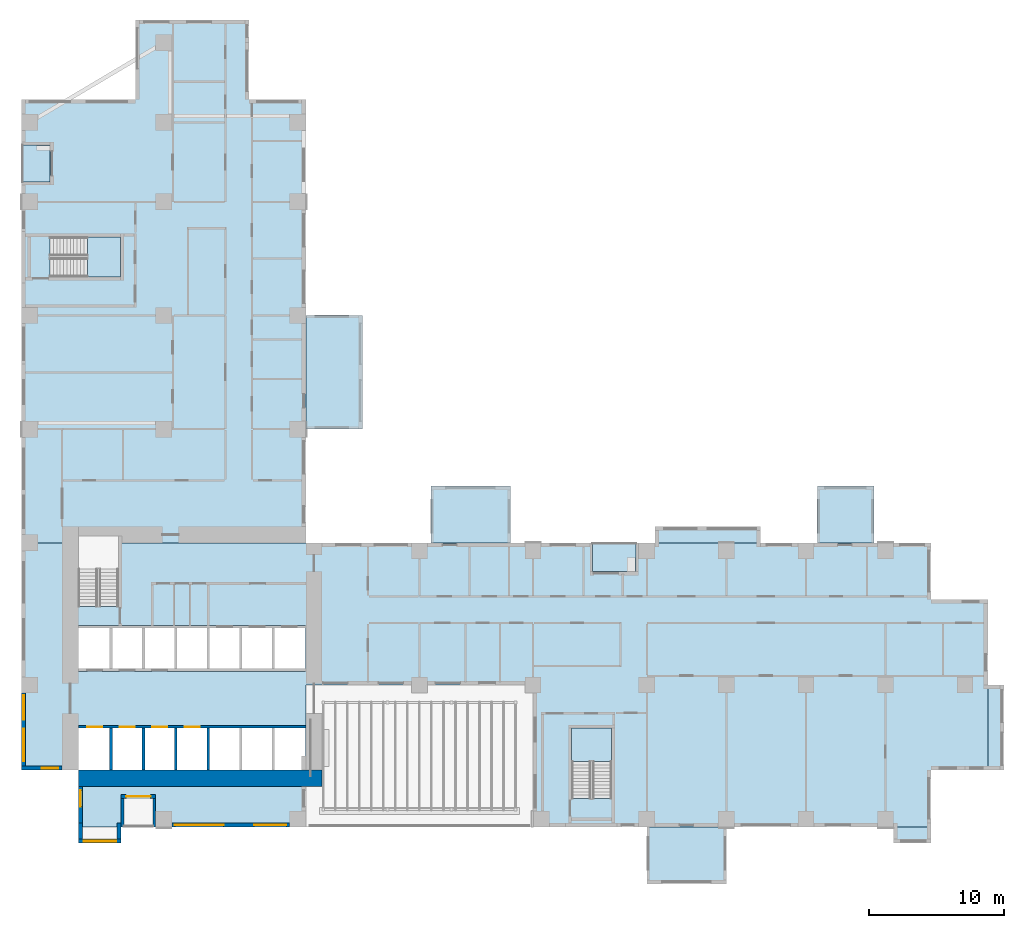
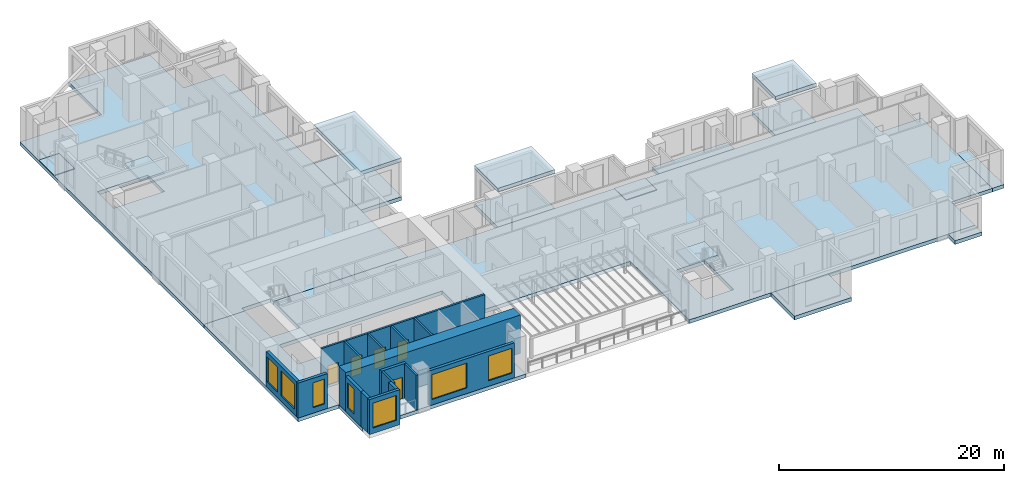
# One storey, part 3 of 16: 16 slabs, 16 walls, 7 windows, 5 doors, 12 openings, 2 elements without a shape of their own.
"""IFC4 building model written with IfcOpenShell, lengths in metres."""

from ifc_helpers import new_model, si_unit, direction, frame, frame_2d, origin, place, context, subcontext, project, spatial, polyline, rectangle, outline, extrude, source, transform, mapped, material, layer, layer_set, type_object, element, fill, aggregate, save


model = new_model("IFC4")

# Units and contexts
model_context = context("Model", 3, precision=1e-05, world=origin(), true_north=direction((0.0, 1.0)))
body_context = subcontext(model_context, "Body", "Model", "MODEL_VIEW")
ifc_project = project(units=[si_unit("LENGTHUNIT", "METRE"), si_unit("AREAUNIT", "SQUARE_METRE"), si_unit("VOLUMEUNIT", "CUBIC_METRE"), si_unit("PLANEANGLEUNIT", "RADIAN"), si_unit("MASSUNIT", "GRAM", prefix="KILO")], contexts=[model_context])

# Site, building, storey
site_placement = place(None, origin())
site = spatial("IfcSite", under=ifc_project, at=site_placement, CompositionType="ELEMENT")
building_placement = place(site_placement, origin())
building = spatial("IfcBuilding", under=site, at=building_placement, Name="Aurelian Terraces", CompositionType="ELEMENT")
storey_placement = place(building_placement, frame((0.0, 0.0, 95.1)))
storey = spatial("IfcBuildingStorey", under=building, at=storey_placement, Name="L20", CompositionType="ELEMENT", Elevation=95.1)

# Slabs
ifc_material_1 = material(Name="Granite paving", Category="masonry")
ifc_layer_1 = layer(ifc_material_1, 0.05)
ifc_layer_set_1 = layer_set([ifc_layer_1], Name="Loggia paving 50")
slab_type_1 = type_object("IfcSlabType", Name="Loggia paving 50", PredefinedType="NOTDEFINED", material=ifc_layer_set_1)
slab_1_placement = place(storey_placement, origin())
element("IfcSlab", 1, at=slab_1_placement, inside=storey, type_object=slab_type_1, Name="Loggia floor L20 F18.37", PredefinedType="NOTDEFINED", context=body_context, shape_type="SweptSolid", body=[
    extrude(outline(polyline([(0.0, 50.41), (0.0, 47.66), (2.1, 47.66), (2.1, 50.41), (0.0, 50.41)])), origin(), (0.0, 0.0, 1.0), 0.05),
])
ifc_material_2 = material(Name="Concrete fc' 40 MPa", Category="concrete")
ifc_layer_2 = layer(ifc_material_2, 0.4)
ifc_layer_set_2 = layer_set([ifc_layer_2], Name="PT FLAT PLATE 400")
slab_type_2 = type_object("IfcSlabType", Name="PT FLAT PLATE 400", PredefinedType="FLOOR", material=ifc_layer_set_2)
slab_2_placement = place(storey_placement, frame((0.0, 0.0, -0.4)))
element("IfcSlab", 2, at=slab_2_placement, inside=storey, type_object=slab_type_2, Name="Floor slab S L20", PredefinedType="FLOOR", context=body_context, shape_type="SweptSolid", body=[
    extrude(outline(polyline([(71.4, 4.2), (67.2, 4.2), (67.2, 0.0), (37.8, 0.0), (37.8, 10.5), (21.0, 10.5), (21.0, 0.0), (4.2, 0.0), (4.2, 4.2), (0.0, 4.2), (0.0, 21.0), (4.21, 21.0), (4.21, 16.31), (7.14, 16.31), (7.14, 21.0), (21.0, 21.0), (67.2, 21.0), (67.2, 16.8), (71.4, 16.8), (71.4, 4.2)]), holes=[polyline([(40.66, 2.11), (43.59, 2.11), (43.59, 7.29), (40.66, 7.29), (40.66, 2.11)]), polyline([(4.21, 7.49), (4.21, 4.21), (20.99, 4.21), (20.99, 7.49), (4.21, 7.49)]), polyline([(4.21, 14.89), (4.21, 11.51), (20.99, 11.51), (20.99, 14.89), (4.21, 14.89)])]), origin(), (0.0, 0.0, 1.0), 0.4),
])
shared_shape_1 = source(origin(), body_context, "Body", "SweptSolid", [
    extrude(outline(polyline([(0.0, 53.76), (8.4, 53.76), (8.4, 59.64), (16.8, 59.64), (16.8, 53.76), (21.0, 53.76), (21.0, 21.0), (7.14, 21.0), (7.14, 21.49), (4.21, 21.49), (4.21, 21.0), (0.0, 21.0), (0.0, 53.76)]), holes=[polyline([(7.29, 43.59), (2.11, 43.59), (2.11, 40.66), (7.29, 40.66), (7.29, 43.59)])]), origin(), (0.0, 0.0, 1.0), 0.4),
])
slab_3_placement = place(storey_placement, frame((0.0, 0.0, -0.4)))
element("IfcSlab", 3, at=slab_3_placement, inside=storey, type_object=slab_type_2, Name="Floor slab W L20", PredefinedType="FLOOR", context=body_context, shape_type="MappedRepresentation", body=[
    mapped(shared_shape_1, transform((0.0, 0.0, 0.0), scale=1.0)),
])
ifc_layer_3 = layer(ifc_material_2, 0.41)
ifc_layer_set_3 = layer_set([ifc_layer_3], Name="Box floor 410")
slab_type_3 = type_object("IfcSlabType", Name="Box floor 410", PredefinedType="NOTDEFINED", material=ifc_layer_set_3)
shared_shape_2 = source(origin(), body_context, "Body", "SweptSolid", [
    extrude(outline(polyline([(46.2, -4.2), (52.08, -4.2), (52.08, 0.0), (46.2, 0.0), (46.2, -4.2)])), origin(), (0.0, 0.0, 1.0), 0.41),
])
slab_4_placement = place(storey_placement, frame((0.0, 0.0, -0.41)))
element("IfcSlab", 4, at=slab_4_placement, inside=storey, type_object=slab_type_3, Name="Box floor L20 J28", PredefinedType="NOTDEFINED", context=body_context, shape_type="MappedRepresentation", body=[
    mapped(shared_shape_2, transform((0.0, 0.0, 0.0), scale=1.0)),
])
shared_shape_3 = source(origin(), body_context, "Body", "SweptSolid", [
    extrude(outline(polyline([(25.2, 29.4), (25.2, 37.8), (21.0, 37.8), (21.0, 29.4), (25.2, 29.4)])), origin(), (0.0, 0.0, 1.0), 0.41),
])
slab_5_placement = place(storey_placement, frame((0.0, 0.0, -0.41)))
element("IfcSlab", 5, at=slab_5_placement, inside=storey, type_object=slab_type_3, Name="Box floor L20 J27", PredefinedType="NOTDEFINED", context=body_context, shape_type="MappedRepresentation", body=[
    mapped(shared_shape_3, transform((0.0, 0.0, 0.0), scale=1.0)),
])
ifc_layer_4 = layer(ifc_material_2, 0.4)
ifc_layer_set_4 = layer_set([ifc_layer_4], Name="Bay floor 400")
slab_type_4 = type_object("IfcSlabType", Name="Bay floor 400", PredefinedType="NOTDEFINED", material=ifc_layer_set_4)
shared_shape_4 = source(origin(), body_context, "Body", "SweptSolid", [
    extrude(outline(polyline([(64.44, 0.0), (67.2, 0.0), (67.2, -1.2), (64.44, -1.2), (64.44, 0.0)])), origin(), (0.0, 0.0, 1.0), 0.4),
])
slab_6_placement = place(storey_placement, frame((0.0, 0.0, -0.4)))
element("IfcSlab", 6, at=slab_6_placement, inside=storey, type_object=slab_type_4, Name="Bay floor L20 F05.13", PredefinedType="NOTDEFINED", context=body_context, shape_type="MappedRepresentation", body=[
    mapped(shared_shape_4, transform((0.0, 0.0, 0.0), scale=1.0)),
])
shared_shape_5 = source(origin(), body_context, "Body", "SweptSolid", [
    extrude(outline(polyline([(36.12, 25.2), (30.24, 25.2), (30.24, 21.0), (36.12, 21.0), (36.12, 25.2)])), origin(), (0.0, 0.0, 1.0), 0.41),
])
slab_7_placement = place(storey_placement, frame((0.0, 0.0, -0.41)))
element("IfcSlab", 7, at=slab_7_placement, inside=storey, type_object=slab_type_3, Name="Box floor L20 J25", PredefinedType="NOTDEFINED", context=body_context, shape_type="MappedRepresentation", body=[
    mapped(shared_shape_5, transform((0.0, 0.0, 0.0), scale=1.0)),
])
shared_shape_6 = source(origin(), body_context, "Body", "SweptSolid", [
    extrude(outline(polyline([(71.4, 4.2), (71.4, 10.5), (72.6, 10.5), (72.6, 4.2), (71.4, 4.2)])), origin(), (0.0, 0.0, 1.0), 0.4),
])
slab_8_placement = place(storey_placement, frame((0.0, 0.0, -0.4)))
element("IfcSlab", 8, at=slab_8_placement, inside=storey, type_object=slab_type_4, Name="Bay floor L20 F08.17", PredefinedType="NOTDEFINED", context=body_context, shape_type="MappedRepresentation", body=[
    mapped(shared_shape_6, transform((0.0, 0.0, 0.0), scale=1.0)),
])
ifc_layer_5 = layer(ifc_material_2, 0.4)
ifc_layer_set_5 = layer_set([ifc_layer_5], Name="Box roof 400")
slab_type_5 = type_object("IfcSlabType", Name="Box roof 400", PredefinedType="ROOF", material=ifc_layer_set_5)
shared_shape_7 = source(origin(), body_context, "Body", "SweptSolid", [
    extrude(outline(polyline([(36.12, 25.2), (30.24, 25.2), (30.24, 21.0), (36.12, 21.0), (36.12, 25.2)])), origin(), (0.0, 0.0, 1.0), 0.4),
])
slab_9_placement = place(storey_placement, frame((0.0, 0.0, 3.8)))
element("IfcSlab", 9, at=slab_9_placement, inside=storey, type_object=slab_type_5, Name="Box roof J25", PredefinedType="ROOF", context=body_context, shape_type="MappedRepresentation", body=[
    mapped(shared_shape_7, transform((0.0, 0.0, 0.0), scale=1.0)),
])
shared_shape_8 = source(origin(), body_context, "Body", "SweptSolid", [
    extrude(outline(polyline([(63.0, 25.2), (58.8, 25.2), (58.8, 21.0), (63.0, 21.0), (63.0, 25.2)])), origin(), (0.0, 0.0, 1.0), 0.41),
])
slab_10_placement = place(storey_placement, frame((0.0, 0.0, -0.41)))
element("IfcSlab", 10, at=slab_10_placement, inside=storey, type_object=slab_type_3, Name="Box floor L20 J26", PredefinedType="NOTDEFINED", context=body_context, shape_type="MappedRepresentation", body=[
    mapped(shared_shape_8, transform((0.0, 0.0, 0.0), scale=1.0)),
])
shared_shape_9 = source(origin(), body_context, "Body", "SweptSolid", [
    extrude(outline(polyline([(25.2, 29.4), (25.2, 37.8), (21.0, 37.8), (21.0, 29.4), (25.2, 29.4)])), origin(), (0.0, 0.0, 1.0), 0.4),
])
slab_11_placement = place(storey_placement, frame((0.0, 0.0, 3.8)))
element("IfcSlab", 11, at=slab_11_placement, inside=storey, type_object=slab_type_5, Name="Box roof J27", PredefinedType="ROOF", context=body_context, shape_type="MappedRepresentation", body=[
    mapped(shared_shape_9, transform((0.0, 0.0, 0.0), scale=1.0)),
])
shared_shape_10 = source(origin(), body_context, "Body", "SweptSolid", [
    extrude(outline(polyline([(63.0, 25.2), (58.8, 25.2), (58.8, 21.0), (63.0, 21.0), (63.0, 25.2)])), origin(), (0.0, 0.0, 1.0), 0.4),
])
slab_12_placement = place(storey_placement, frame((0.0, 0.0, 3.8)))
element("IfcSlab", 12, at=slab_12_placement, inside=storey, type_object=slab_type_5, Name="Box roof J26", PredefinedType="ROOF", context=body_context, shape_type="MappedRepresentation", body=[
    mapped(shared_shape_10, transform((0.0, 0.0, 0.0), scale=1.0)),
])
shared_shape_11 = source(origin(), body_context, "Body", "SweptSolid", [
    extrude(outline(polyline([(54.6, 21.0), (46.8, 21.0), (46.8, 22.2), (54.6, 22.2), (54.6, 21.0)])), origin(), (0.0, 0.0, 1.0), 0.4),
])
slab_13_placement = place(storey_placement, frame((0.0, 0.0, -0.4)))
element("IfcSlab", 13, at=slab_13_placement, inside=storey, type_object=slab_type_4, Name="Bay floor L20 F11.22", PredefinedType="NOTDEFINED", context=body_context, shape_type="MappedRepresentation", body=[
    mapped(shared_shape_11, transform((0.0, 0.0, 0.0), scale=1.0)),
])
shared_shape_12 = source(origin(), body_context, "Body", "SweptSolid", [
    extrude(outline(polyline([(45.4, 21.0), (42.2, 21.0), (42.2, 18.9), (45.4, 18.9), (45.4, 21.0)])), origin(), (0.0, 0.0, 1.0), 0.05),
])
slab_14_placement = place(storey_placement, origin())
element("IfcSlab", 14, at=slab_14_placement, inside=storey, type_object=slab_type_1, Name="Loggia floor L20 F11.23", PredefinedType="NOTDEFINED", context=body_context, shape_type="MappedRepresentation", body=[
    mapped(shared_shape_12, transform((0.0, 0.0, 0.0), scale=1.0)),
])

# Stair, slab
stair_type = type_object("IfcStairType", Name="Stair 1400", PredefinedType="HALF_TURN_STAIR", material=ifc_material_2)
stair_1_placement = place(storey_placement, origin())
stair_1 = element("IfcStair", 15, at=stair_1_placement, inside=storey, type_object=stair_type, Name="L20 S2", PredefinedType="HALF_TURN_STAIR")
ifc_layer_6 = layer(ifc_material_2, 0.2)
ifc_layer_set_6 = layer_set([ifc_layer_6], Name="Stair landing 200")
slab_type_6 = type_object("IfcSlabType", Name="Stair landing 200", PredefinedType="LANDING", material=ifc_layer_set_6)
shared_shape_13 = source(origin(), body_context, "Body", "SweptSolid", [
    extrude(outline(polyline([(43.6, 4.85), (43.6, 7.3), (40.65, 7.3), (40.65, 4.85), (43.6, 4.85)])), origin(), (0.0, 0.0, 1.0), 0.2),
])
slab_15_placement = place(storey_placement, frame((0.0, 0.0, 1.9)))
slab_15 = element("IfcSlab", 16, at=slab_15_placement, type_object=slab_type_6, Name="S2 landing 1", PredefinedType="LANDING", context=body_context, shape_type="MappedRepresentation", body=[
    mapped(shared_shape_13, transform((0.0, 0.0, 0.0), scale=1.0)),
])
aggregate(stair_1, [slab_15])

stair_2_placement = place(storey_placement, origin())
stair_2 = element("IfcStair", 17, at=stair_2_placement, inside=storey, type_object=stair_type, Name="L20 S3", PredefinedType="HALF_TURN_STAIR")
shared_shape_14 = source(origin(), body_context, "Body", "SweptSolid", [
    extrude(outline(polyline([(4.85, 40.65), (7.3, 40.65), (7.3, 43.6), (4.85, 43.6), (4.85, 40.65)])), origin(), (0.0, 0.0, 1.0), 0.2),
])
slab_16_placement = place(storey_placement, frame((0.0, 0.0, 1.9)))
slab_16 = element("IfcSlab", 18, at=slab_16_placement, type_object=slab_type_6, Name="S3 landing 1", PredefinedType="LANDING", context=body_context, shape_type="MappedRepresentation", body=[
    mapped(shared_shape_14, transform((0.0, 0.0, 0.0), scale=1.0)),
])
aggregate(stair_2, [slab_16])

# Wall
ifc_material_3 = material(Name="Concrete fc' 83 MPa", Category="concrete")
ifc_layer_7 = layer(ifc_material_3, 1.2)
ifc_layer_set_7 = layer_set([ifc_layer_7], Name="CORE WALL 1200 FC83")
wall_type_1 = type_object("IfcWallType", Name="CORE WALL 1200 FC83", PredefinedType="SHEAR", material=ifc_layer_set_7)
shared_shape_15 = source(origin(), body_context, "Body", "SweptSolid", [
    extrude(rectangle(XDim=18.0, YDim=1.2, at=frame_2d((9.0, 0.0))), origin(), (0.0, 0.0, 1.0), 4.2),
])
wall_1_placement = place(storey_placement, frame((4.2, 3.6, 0.0), z_axis=(0.0, 0.0, 1.0), x_axis=(1.0, 0.0, 0.0)))
element("IfcWall", 19, at=wall_1_placement, inside=storey, type_object=wall_type_1, Name="Core wall S L20", PredefinedType="SHEAR", context=body_context, shape_type="MappedRepresentation", body=[
    mapped(shared_shape_15, transform((0.0, 0.0, 0.0), scale=1.0)),
])

# Wall, opening, window
ifc_material_4 = material(Name="Terracotta rainscreen cladding", Category="masonry")
ifc_layer_8 = layer(ifc_material_4, 0.3)
ifc_layer_set_8 = layer_set([ifc_layer_8], Name="EW-300")
wall_type_2 = type_object("IfcWallType", Name="EW-300", PredefinedType="STANDARD", material=ifc_layer_set_8)
shared_shape_16 = source(origin(), body_context, "Body", "SweptSolid", [
    extrude(rectangle(XDim=3.15, YDim=0.3, at=frame_2d((1.575, 0.0))), origin(), (0.0, 0.0, 1.0), 3.8),
])
wall_2_placement = place(storey_placement, frame((4.2, -1.05, 0.0), z_axis=(0.0, 0.0, 1.0), x_axis=(1.0, 0.0, 0.0)))
wall_2 = element("IfcWall", 20, at=wall_2_placement, inside=storey, type_object=wall_type_2, Name="Bay wall L20 F01.1", PredefinedType="STANDARD", context=body_context, shape_type="MappedRepresentation", body=[
    mapped(shared_shape_16, transform((0.0, 0.0, 0.0), scale=1.0)),
])
shared_shape_17 = source(origin(), body_context, "Body", "SweptSolid", [
    extrude(rectangle(XDim=2.4, YDim=2.7, at=frame_2d((1.2, 1.35))), frame((0.0, 0.16, 0.0), z_axis=(0.0, -1.0, 0.0), x_axis=(1.0, 0.0, 0.0)), (0.0, 0.0, 1.0), 0.32),
])
opening_1_placement = place(wall_2_placement, frame((0.375, 0.0, 0.6)))
opening_1 = element("IfcOpeningElement", 21, at=opening_1_placement, cuts=wall_2, Name="Opening W2427", PredefinedType="OPENING", context=body_context, shape_type="MappedRepresentation", body=[
    mapped(shared_shape_17, transform((0.0, 0.0, 0.0), scale=1.0)),
])
ifc_material_5 = material(Name="Clear glazing", Category="glass")
window_type_1 = type_object("IfcWindowType", Name="W-2400x2700", PartitioningType="SINGLE_PANEL", PredefinedType="WINDOW", material=ifc_material_5)
shared_shape_18 = source(origin(), body_context, "Body", "SweptSolid", [
    extrude(rectangle(XDim=2.4, YDim=2.7, at=frame_2d((1.2, 1.35))), frame((0.0, 0.03, 0.0), z_axis=(0.0, -1.0, 0.0), x_axis=(1.0, 0.0, 0.0)), (0.0, 0.0, 1.0), 0.06),
])
window_1_placement = place(opening_1_placement, origin())
window_1 = element("IfcWindow", 22, at=window_1_placement, inside=storey, type_object=window_type_1, Name="Window L20 L20-F01-01-0", OverallHeight=2.7, OverallWidth=2.4, PartitioningType="SINGLE_PANEL", PredefinedType="WINDOW", context=body_context, shape_type="MappedRepresentation", body=[
    mapped(shared_shape_18, transform((0.0, 0.0, 0.0), scale=1.0)),
])
fill(opening_1, window_1)

# Walls
shared_shape_19 = source(origin(), body_context, "Body", "SweptSolid", [
    extrude(rectangle(XDim=1.2, YDim=0.3, at=frame_2d((0.6, 0.0))), origin(), (0.0, 0.0, 1.0), 3.8),
])
for number, where, z_axis, x_axis, name in (
    (23, (4.35, 0.3, 0.0), (0.0, 0.0, 1.0), (0.0, -1.0, 0.0), "Bay return L20 F01.1.1"),
    (24, (7.2, 0.3, 0.0), (0.0, 0.0, 1.0), (0.0, -1.0, 0.0), "Bay return L20 F01.1.2"),
):
    element("IfcWall", number, at=place(storey_placement, frame(where, z_axis=z_axis, x_axis=x_axis)), inside=storey, type_object=wall_type_2, Name=name, PredefinedType="STANDARD", context=body_context, shape_type="MappedRepresentation", body=[
        mapped(shared_shape_19, transform((0.0, 0.0, 0.0), scale=1.0)),
    ])
ifc_layer_9 = layer(ifc_material_4, 0.2)
ifc_layer_set_9 = layer_set([ifc_layer_9], Name="EW-200")
wall_type_3 = type_object("IfcWallType", Name="EW-200", PredefinedType="STANDARD", material=ifc_layer_set_9)
shared_shape_20 = source(origin(), body_context, "Body", "SweptSolid", [
    extrude(rectangle(XDim=2.1, YDim=0.2, at=frame_2d((1.05, 0.0))), origin(), (0.0, 0.0, 1.0), 3.8),
])
for number, where, z_axis, x_axis, name in (
    (25, (7.45, 0.0, 0.0), (0.0, 0.0, 1.0), (0.0, 1.0, 0.0), "Loggia return L20 F01.2.1"),
    (26, (9.8, 0.0, 0.0), (0.0, 0.0, 1.0), (0.0, 1.0, 0.0), "Loggia return L20 F01.2.2"),
):
    element("IfcWall", number, at=place(storey_placement, frame(where, z_axis=z_axis, x_axis=x_axis)), inside=storey, type_object=wall_type_3, Name=name, PredefinedType="STANDARD", context=body_context, shape_type="MappedRepresentation", body=[
        mapped(shared_shape_20, transform((0.0, 0.0, 0.0), scale=1.0)),
    ])

# Wall, opening, window
shared_shape_21 = source(origin(), body_context, "Body", "SweptSolid", [
    extrude(rectangle(XDim=3.0, YDim=0.3, at=frame_2d((1.5, 0.0))), origin(), (0.0, 0.0, 1.0), 3.8),
])
wall_3_placement = place(storey_placement, frame((0.0, 4.35, 0.0), z_axis=(0.0, 0.0, 1.0), x_axis=(1.0, 0.0, 0.0)))
wall_3 = element("IfcWall", 27, at=wall_3_placement, inside=storey, type_object=wall_type_2, Name="External wall L20 F19.39", PredefinedType="STANDARD", context=body_context, shape_type="MappedRepresentation", body=[
    mapped(shared_shape_21, transform((0.0, 0.0, 0.0), scale=1.0)),
])
shared_shape_22 = source(origin(), body_context, "Body", "SweptSolid", [
    extrude(rectangle(XDim=1.2, YDim=2.7, at=frame_2d((0.6, 1.35))), frame((0.0, 0.16, 0.0), z_axis=(0.0, -1.0, 0.0), x_axis=(1.0, 0.0, 0.0)), (0.0, 0.0, 1.0), 0.32),
])
opening_2_placement = place(wall_3_placement, frame((1.5, 0.0, 0.6)))
opening_2 = element("IfcOpeningElement", 28, at=opening_2_placement, cuts=wall_3, Name="Opening W1227", PredefinedType="OPENING", context=body_context, shape_type="MappedRepresentation", body=[
    mapped(shared_shape_22, transform((0.0, 0.0, 0.0), scale=1.0)),
])
window_type_2 = type_object("IfcWindowType", Name="W-1200x2700", PartitioningType="SINGLE_PANEL", PredefinedType="WINDOW", material=ifc_material_5)
shared_shape_23 = source(origin(), body_context, "Body", "SweptSolid", [
    extrude(rectangle(XDim=1.2, YDim=2.7, at=frame_2d((0.6, 1.35))), frame((0.0, 0.03, 0.0), z_axis=(0.0, -1.0, 0.0), x_axis=(1.0, 0.0, 0.0)), (0.0, 0.0, 1.0), 0.06),
])
window_2_placement = place(opening_2_placement, origin())
window_2 = element("IfcWindow", 29, at=window_2_placement, inside=storey, type_object=window_type_2, Name="Window L20 L20-F19-39-0", OverallHeight=2.7, OverallWidth=1.2, PartitioningType="SINGLE_PANEL", PredefinedType="WINDOW", context=body_context, shape_type="MappedRepresentation", body=[
    mapped(shared_shape_23, transform((0.0, 0.0, 0.0), scale=1.0)),
])
fill(opening_2, window_2)

wall_4_placement = place(storey_placement, frame((4.35, 3.0, 0.0), z_axis=(0.0, 0.0, 1.0), x_axis=(0.0, -1.0, 0.0)))
wall_4 = element("IfcWall", 30, at=wall_4_placement, inside=storey, type_object=wall_type_2, Name="External wall L20 F20.40", PredefinedType="STANDARD", context=body_context, shape_type="MappedRepresentation", body=[
    mapped(shared_shape_21, transform((0.0, 0.0, 0.0), scale=1.0)),
])
opening_3_placement = place(wall_4_placement, frame((0.3, 0.0, 0.6)))
opening_3 = element("IfcOpeningElement", 31, at=opening_3_placement, cuts=wall_4, Name="Opening W1227", PredefinedType="OPENING", context=body_context, shape_type="MappedRepresentation", body=[
    mapped(shared_shape_22, transform((0.0, 0.0, 0.0), scale=1.0)),
])
window_3_placement = place(opening_3_placement, origin())
window_3 = element("IfcWindow", 32, at=window_3_placement, inside=storey, type_object=window_type_2, Name="Window L20 L20-F20-40-0", OverallHeight=2.7, OverallWidth=1.2, PartitioningType="SINGLE_PANEL", PredefinedType="WINDOW", context=body_context, shape_type="MappedRepresentation", body=[
    mapped(shared_shape_23, transform((0.0, 0.0, 0.0), scale=1.0)),
])
fill(opening_3, window_3)

# Wall, opening, door
shared_shape_24 = source(origin(), body_context, "Body", "SweptSolid", [
    extrude(rectangle(XDim=2.55, YDim=0.3, at=frame_2d((1.275, 0.0))), origin(), (0.0, 0.0, 1.0), 3.8),
])
wall_5_placement = place(storey_placement, frame((7.35, 2.25, 0.0), z_axis=(0.0, 0.0, 1.0), x_axis=(1.0, 0.0, 0.0)))
wall_5 = element("IfcWall", 33, at=wall_5_placement, inside=storey, type_object=wall_type_2, Name="Loggia wall L20 F01.2", PredefinedType="STANDARD", context=body_context, shape_type="MappedRepresentation", body=[
    mapped(shared_shape_24, transform((0.0, 0.0, 0.0), scale=1.0)),
])
shared_shape_25 = source(origin(), body_context, "Body", "SweptSolid", [
    extrude(rectangle(XDim=1.8, YDim=2.4, at=frame_2d((0.9, 1.2))), frame((0.0, 0.16, 0.0), z_axis=(0.0, -1.0, 0.0), x_axis=(1.0, 0.0, 0.0)), (0.0, 0.0, 1.0), 0.32),
])
opening_4_placement = place(wall_5_placement, frame((0.375, 0.0, 0.0)))
opening_4 = element("IfcOpeningElement", 34, at=opening_4_placement, cuts=wall_5, Name="Opening 82001", PredefinedType="OPENING", context=body_context, shape_type="MappedRepresentation", body=[
    mapped(shared_shape_25, transform((0.0, 0.0, 0.0), scale=1.0)),
])
door_type_1 = type_object("IfcDoorType", Name="BD-1800x2400", OperationType="SLIDING_TO_LEFT", PredefinedType="DOOR", material=ifc_material_5)
shared_shape_26 = source(origin(), body_context, "Body", "SweptSolid", [
    extrude(rectangle(XDim=1.8, YDim=2.4, at=frame_2d((0.9, 1.2))), frame((0.0, 0.025, 0.0), z_axis=(0.0, -1.0, 0.0), x_axis=(1.0, 0.0, 0.0)), (0.0, 0.0, 1.0), 0.05),
])
door_1_placement = place(opening_4_placement, origin())
door_1 = element("IfcDoor", 35, at=door_1_placement, inside=storey, type_object=door_type_1, Name="Balcony door L20 F01.2", OperationType="SLIDING_TO_LEFT", OverallHeight=2.4, OverallWidth=1.8, PredefinedType="DOOR", context=body_context, shape_type="MappedRepresentation", body=[
    mapped(shared_shape_26, transform((0.0, 0.0, 0.0), scale=1.0)),
])
fill(opening_4, door_1)

# Wall, openings, windows
shared_shape_27 = source(origin(), body_context, "Body", "SweptSolid", [
    extrude(rectangle(XDim=8.7, YDim=0.3, at=frame_2d((4.35, 0.0))), origin(), (0.0, 0.0, 1.0), 3.8),
])
wall_6_placement = place(storey_placement, frame((11.1, 0.15, 0.0), z_axis=(0.0, 0.0, 1.0), x_axis=(1.0, 0.0, 0.0)))
wall_6 = element("IfcWall", 36, at=wall_6_placement, inside=storey, type_object=wall_type_2, Name="External wall L20 F01.3", PredefinedType="STANDARD", context=body_context, shape_type="MappedRepresentation", body=[
    mapped(shared_shape_27, transform((0.0, 0.0, 0.0), scale=1.0)),
])
shared_shape_28 = source(origin(), body_context, "Body", "SweptSolid", [
    extrude(rectangle(XDim=3.6, YDim=2.7, at=frame_2d((1.8, 1.35))), frame((0.0, 0.16, 0.0), z_axis=(0.0, -1.0, 0.0), x_axis=(1.0, 0.0, 0.0)), (0.0, 0.0, 1.0), 0.32),
])
opening_5_placement = place(wall_6_placement, frame((0.225, 0.0, 0.6)))
opening_5 = element("IfcOpeningElement", 37, at=opening_5_placement, cuts=wall_6, Name="Opening W3627", PredefinedType="OPENING", context=body_context, shape_type="MappedRepresentation", body=[
    mapped(shared_shape_28, transform((0.0, 0.0, 0.0), scale=1.0)),
])
opening_6_placement = place(wall_6_placement, frame((6.075, 0.0, 0.6)))
opening_6 = element("IfcOpeningElement", 38, at=opening_6_placement, cuts=wall_6, Name="Opening W2427", PredefinedType="OPENING", context=body_context, shape_type="MappedRepresentation", body=[
    mapped(shared_shape_17, transform((0.0, 0.0, 0.0), scale=1.0)),
])
window_type_3 = type_object("IfcWindowType", Name="W-3600x2700", PartitioningType="SINGLE_PANEL", PredefinedType="WINDOW", material=ifc_material_5)
shared_shape_29 = source(origin(), body_context, "Body", "SweptSolid", [
    extrude(rectangle(XDim=3.6, YDim=2.7, at=frame_2d((1.8, 1.35))), frame((0.0, 0.03, 0.0), z_axis=(0.0, -1.0, 0.0), x_axis=(1.0, 0.0, 0.0)), (0.0, 0.0, 1.0), 0.06),
])
window_4_placement = place(opening_5_placement, origin())
window_4 = element("IfcWindow", 39, at=window_4_placement, inside=storey, type_object=window_type_3, Name="Window L20 L20-F01-03-0", OverallHeight=2.7, OverallWidth=3.6, PartitioningType="SINGLE_PANEL", PredefinedType="WINDOW", context=body_context, shape_type="MappedRepresentation", body=[
    mapped(shared_shape_29, transform((0.0, 0.0, 0.0), scale=1.0)),
])
fill(opening_5, window_4)
window_5_placement = place(opening_6_placement, origin())
window_5 = element("IfcWindow", 40, at=window_5_placement, inside=storey, type_object=window_type_1, Name="Window L20 L20-F01-03-1", OverallHeight=2.7, OverallWidth=2.4, PartitioningType="SINGLE_PANEL", PredefinedType="WINDOW", context=body_context, shape_type="MappedRepresentation", body=[
    mapped(shared_shape_18, transform((0.0, 0.0, 0.0), scale=1.0)),
])
fill(opening_6, window_5)

shared_shape_30 = source(origin(), body_context, "Body", "SweptSolid", [
    extrude(rectangle(XDim=5.7, YDim=0.3, at=frame_2d((2.85, 0.0))), origin(), (0.0, 0.0, 1.0), 3.8),
])
wall_7_placement = place(storey_placement, frame((0.15, 9.9, 0.0), z_axis=(0.0, 0.0, 1.0), x_axis=(0.0, -1.0, 0.0)))
wall_7 = element("IfcWall", 41, at=wall_7_placement, inside=storey, type_object=wall_type_2, Name="External wall L20 F18.38", PredefinedType="STANDARD", context=body_context, shape_type="MappedRepresentation", body=[
    mapped(shared_shape_30, transform((0.0, 0.0, 0.0), scale=1.0)),
])
shared_shape_31 = source(origin(), body_context, "Body", "SweptSolid", [
    extrude(rectangle(XDim=1.8, YDim=2.7, at=frame_2d((0.9, 1.35))), frame((0.0, 0.16, 0.0), z_axis=(0.0, -1.0, 0.0), x_axis=(1.0, 0.0, 0.0)), (0.0, 0.0, 1.0), 0.32),
])
opening_7_placement = place(wall_7_placement, frame((0.18, 0.0, 0.6)))
opening_7 = element("IfcOpeningElement", 42, at=opening_7_placement, cuts=wall_7, Name="Opening W1827", PredefinedType="OPENING", context=body_context, shape_type="MappedRepresentation", body=[
    mapped(shared_shape_31, transform((0.0, 0.0, 0.0), scale=1.0)),
])
opening_8_placement = place(wall_7_placement, frame((2.64, 0.0, 0.6)))
opening_8 = element("IfcOpeningElement", 43, at=opening_8_placement, cuts=wall_7, Name="Opening W2427", PredefinedType="OPENING", context=body_context, shape_type="MappedRepresentation", body=[
    mapped(shared_shape_17, transform((0.0, 0.0, 0.0), scale=1.0)),
])
window_6_placement = place(opening_8_placement, origin())
window_6 = element("IfcWindow", 44, at=window_6_placement, inside=storey, type_object=window_type_1, Name="Window L20 L20-F18-38-G8-395", OverallHeight=2.7, OverallWidth=2.4, PartitioningType="SINGLE_PANEL", PredefinedType="WINDOW", context=body_context, shape_type="MappedRepresentation", body=[
    mapped(shared_shape_18, transform((0.0, 0.0, 0.0), scale=1.0)),
])
fill(opening_8, window_6)
window_type_4 = type_object("IfcWindowType", Name="W-1800x2700", PartitioningType="SINGLE_PANEL", PredefinedType="WINDOW", material=ifc_material_5)
shared_shape_32 = source(origin(), body_context, "Body", "SweptSolid", [
    extrude(rectangle(XDim=1.8, YDim=2.7, at=frame_2d((0.9, 1.35))), frame((0.0, 0.03, 0.0), z_axis=(0.0, -1.0, 0.0), x_axis=(1.0, 0.0, 0.0)), (0.0, 0.0, 1.0), 0.06),
])
window_7_placement = place(opening_7_placement, origin())
window_7 = element("IfcWindow", 45, at=window_7_placement, inside=storey, type_object=window_type_4, Name="Window L20 L20-F18-38-8", OverallHeight=2.7, OverallWidth=1.8, PartitioningType="SINGLE_PANEL", PredefinedType="WINDOW", context=body_context, shape_type="MappedRepresentation", body=[
    mapped(shared_shape_32, transform((0.0, 0.0, 0.0), scale=1.0)),
])
fill(opening_7, window_7)

# Walls
ifc_layer_10 = layer(ifc_material_2, 0.2)
ifc_layer_set_10 = layer_set([ifc_layer_10], Name="Lift shaft wall 200")
wall_type_4 = type_object("IfcWallType", Name="Lift shaft wall 200", PredefinedType="SOLIDWALL", material=ifc_layer_set_10)
shared_shape_33 = source(origin(), body_context, "Body", "SweptSolid", [
    extrude(rectangle(XDim=3.1, YDim=0.2, at=frame_2d((1.55, 0.0))), origin(), (0.0, 0.0, 1.0), 4.2),
])
for number, where, z_axis, x_axis, name in (
    (46, (6.6, 4.2, 0.0), (0.0, 0.0, 1.0), (0.0, 1.0, 0.0), "L20 core wall CD-A1"),
    (47, (9.0, 4.2, 0.0), (0.0, 0.0, 1.0), (0.0, 1.0, 0.0), "L20 core wall CD-A2"),
    (48, (11.4, 4.2, 0.0), (0.0, 0.0, 1.0), (0.0, 1.0, 0.0), "L20 core wall CD-A3"),
    (49, (13.8, 4.2, 0.0), (0.0, 0.0, 1.0), (0.0, 1.0, 0.0), "L20 core wall CD-A4"),
):
    element("IfcWall", number, at=place(storey_placement, frame(where, z_axis=z_axis, x_axis=x_axis)), inside=storey, type_object=wall_type_4, Name=name, PredefinedType="SOLIDWALL", context=body_context, shape_type="MappedRepresentation", body=[
        mapped(shared_shape_33, transform((0.0, 0.0, 0.0), scale=1.0)),
    ])

# Wall, openings, doors
shared_shape_34 = source(origin(), body_context, "Body", "SweptSolid", [
    extrude(rectangle(XDim=16.8, YDim=0.2, at=frame_2d((8.4, 0.0))), origin(), (0.0, 0.0, 1.0), 4.2),
])
wall_8_placement = place(storey_placement, frame((4.2, 7.4, 0.0), z_axis=(0.0, 0.0, 1.0), x_axis=(1.0, 0.0, 0.0)))
wall_8 = element("IfcWall", 50, at=wall_8_placement, inside=storey, type_object=wall_type_4, Name="L20 core wall CF-AF1", PredefinedType="SOLIDWALL", context=body_context, shape_type="MappedRepresentation", body=[
    mapped(shared_shape_34, transform((0.0, 0.0, 0.0), scale=1.0)),
])
shared_shape_35 = source(origin(), body_context, "Body", "SweptSolid", [
    extrude(rectangle(XDim=1.1, YDim=2.1, at=frame_2d((0.55, 1.05))), frame((0.0, 0.11, 0.0), z_axis=(0.0, -1.0, 0.0), x_axis=(1.0, 0.0, 0.0)), (0.0, 0.0, 1.0), 0.22),
])
opening_9_placement = place(wall_8_placement, frame((0.65, 0.0, 0.0)))
opening_9 = element("IfcOpeningElement", 51, at=opening_9_placement, cuts=wall_8, Name="Opening 62300", PredefinedType="OPENING", context=body_context, shape_type="MappedRepresentation", body=[
    mapped(shared_shape_35, transform((0.0, 0.0, 0.0), scale=1.0)),
])
opening_10_placement = place(wall_8_placement, frame((3.05, 0.0, 0.0)))
opening_10 = element("IfcOpeningElement", 52, at=opening_10_placement, cuts=wall_8, Name="Opening 62301", PredefinedType="OPENING", context=body_context, shape_type="MappedRepresentation", body=[
    mapped(shared_shape_35, transform((0.0, 0.0, 0.0), scale=1.0)),
])
opening_11_placement = place(wall_8_placement, frame((5.45, 0.0, 0.0)))
opening_11 = element("IfcOpeningElement", 53, at=opening_11_placement, cuts=wall_8, Name="Opening 62302", PredefinedType="OPENING", context=body_context, shape_type="MappedRepresentation", body=[
    mapped(shared_shape_35, transform((0.0, 0.0, 0.0), scale=1.0)),
])
opening_12_placement = place(wall_8_placement, frame((7.85, 0.0, 0.0)))
opening_12 = element("IfcOpeningElement", 54, at=opening_12_placement, cuts=wall_8, Name="Opening 62303", PredefinedType="OPENING", context=body_context, shape_type="MappedRepresentation", body=[
    mapped(shared_shape_35, transform((0.0, 0.0, 0.0), scale=1.0)),
])
ifc_material_6 = material(Name="Stainless steel", Category="steel")
door_type_2 = type_object("IfcDoorType", Name="Lift landing door 1100x2100", OperationType="SLIDING_TO_LEFT", PredefinedType="DOOR", material=ifc_material_6)
shared_shape_36 = source(origin(), body_context, "Body", "SweptSolid", [
    extrude(rectangle(XDim=1.1, YDim=2.1, at=frame_2d((0.55, 1.05))), frame((0.0, 0.025, 0.0), z_axis=(0.0, -1.0, 0.0), x_axis=(1.0, 0.0, 0.0)), (0.0, 0.0, 1.0), 0.05),
])
door_2_placement = place(opening_9_placement, origin())
door_2 = element("IfcDoor", 55, at=door_2_placement, inside=storey, type_object=door_type_2, Name="Lift landing door LL1 L20", OperationType="SLIDING_TO_LEFT", OverallHeight=2.1, OverallWidth=1.1, PredefinedType="DOOR", context=body_context, shape_type="MappedRepresentation", body=[
    mapped(shared_shape_36, transform((0.0, 0.0, 0.0), scale=1.0)),
])
fill(opening_9, door_2)
door_3_placement = place(opening_10_placement, origin())
door_3 = element("IfcDoor", 56, at=door_3_placement, inside=storey, type_object=door_type_2, Name="Lift landing door LL2 L20", OperationType="SLIDING_TO_LEFT", OverallHeight=2.1, OverallWidth=1.1, PredefinedType="DOOR", context=body_context, shape_type="MappedRepresentation", body=[
    mapped(shared_shape_36, transform((0.0, 0.0, 0.0), scale=1.0)),
])
fill(opening_10, door_3)
door_4_placement = place(opening_11_placement, origin())
door_4 = element("IfcDoor", 57, at=door_4_placement, inside=storey, type_object=door_type_2, Name="Lift landing door LL3 L20", OperationType="SLIDING_TO_LEFT", OverallHeight=2.1, OverallWidth=1.1, PredefinedType="DOOR", context=body_context, shape_type="MappedRepresentation", body=[
    mapped(shared_shape_36, transform((0.0, 0.0, 0.0), scale=1.0)),
])
fill(opening_11, door_4)
door_5_placement = place(opening_12_placement, origin())
door_5 = element("IfcDoor", 58, at=door_5_placement, inside=storey, type_object=door_type_2, Name="Lift landing door LL4 L20", OperationType="SLIDING_TO_LEFT", OverallHeight=2.1, OverallWidth=1.1, PredefinedType="DOOR", context=body_context, shape_type="MappedRepresentation", body=[
    mapped(shared_shape_36, transform((0.0, 0.0, 0.0), scale=1.0)),
])
fill(opening_12, door_5)

save(model, "model.ifc")
